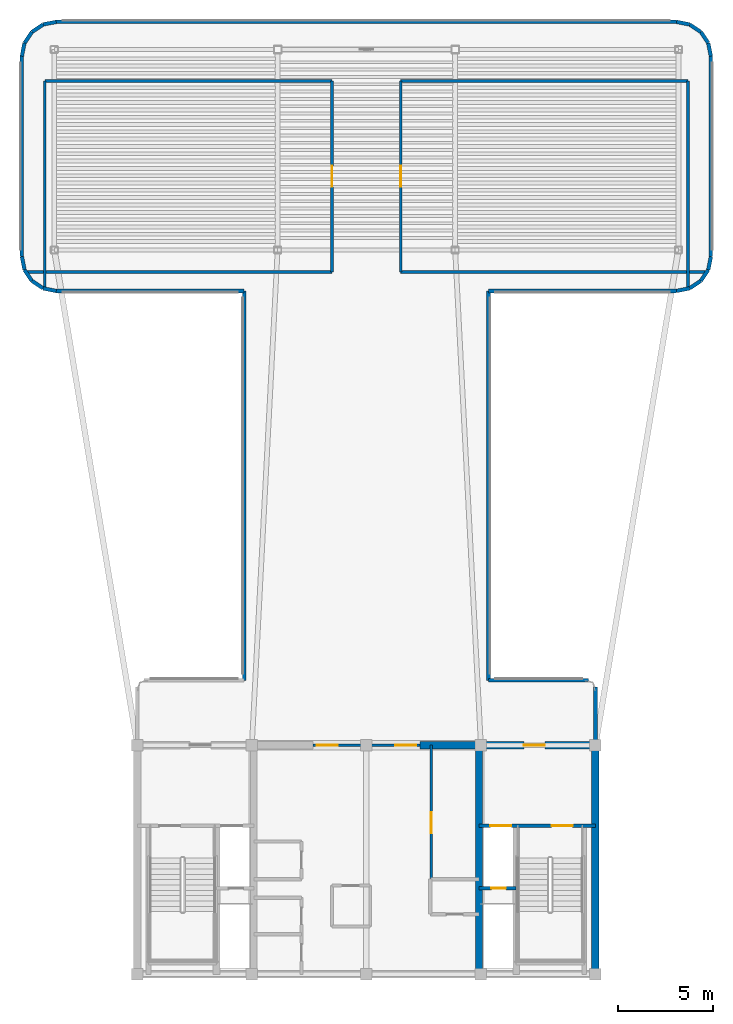
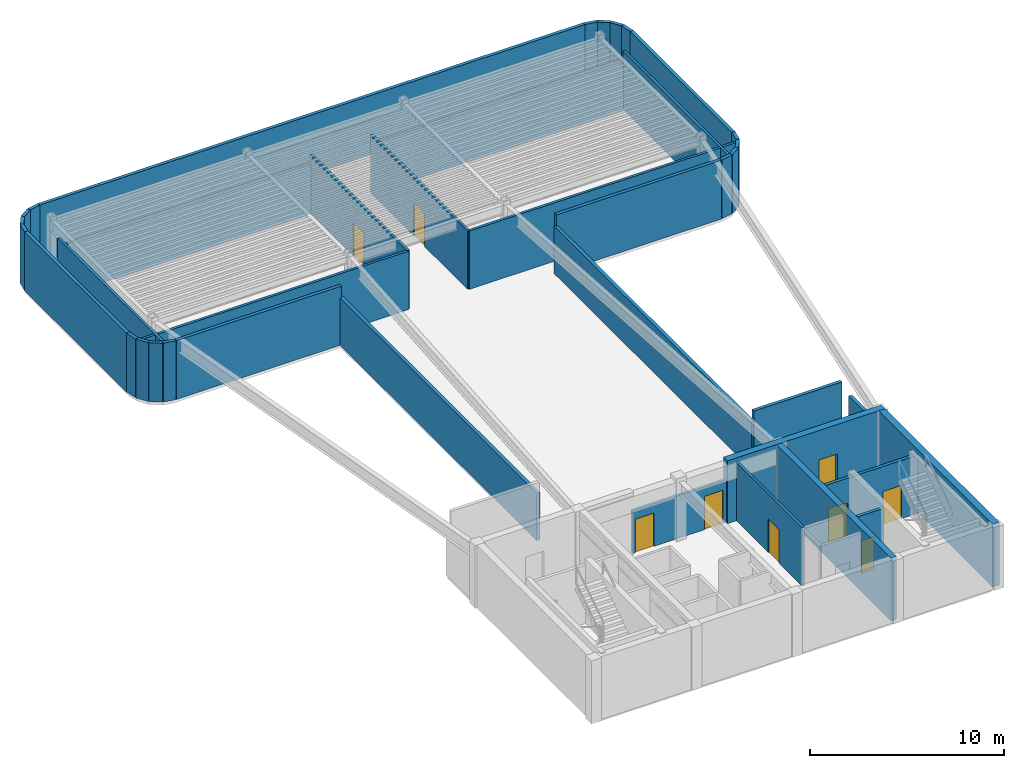
# One storey, part 3 of 6: 40 walls, 9 doors, 9 openings.
"""IFC4 building model written with IfcOpenShell, lengths in metres."""

from ifc_helpers import new_model, si_unit, direction, frame, frame_2d, origin, origin_2d, place, context, subcontext, project, spatial, rectangle, extrude, source, transform, mapped, material, layer, layer_set, type_object, element, fill, save


model = new_model("IFC4")

# Units and contexts
model_context = context("Model", 3, precision=1e-05, world=origin(), true_north=direction((0.0, 1.0)))
body_context = subcontext(model_context, "Body", "Model", "MODEL_VIEW")
ifc_project = project(units=[si_unit("LENGTHUNIT", "METRE"), si_unit("AREAUNIT", "SQUARE_METRE"), si_unit("VOLUMEUNIT", "CUBIC_METRE"), si_unit("PLANEANGLEUNIT", "RADIAN"), si_unit("MASSUNIT", "GRAM", prefix="KILO")], contexts=[model_context])

# Site, building, storey
site_placement = place(None, origin())
site = spatial("IfcSite", under=ifc_project, at=site_placement, CompositionType="ELEMENT")
building_placement = place(site_placement, origin())
building = spatial("IfcBuilding", under=site, at=building_placement, Name="Brelvock Crest Care Tower", CompositionType="ELEMENT")
storey_placement = place(building_placement, frame((0.0, 0.0, 303.840087890625)))
storey = spatial("IfcBuildingStorey", under=building, at=storey_placement, Name="L77", CompositionType="ELEMENT", Elevation=303.840087890625)

# Wall
ifc_material_1 = material(Name="Concrete S65 (65 MPa)", Category="concrete")
ifc_layer_1 = layer(ifc_material_1, 0.39990234375, Name="WL-CS4")
ifc_layer_set_1 = layer_set([ifc_layer_1], Name="Concrete S65 (65 MPa)")
wall_type_1 = type_object("IfcWallType", Name="WL-CS4", PredefinedType="SHEAR", material=ifc_layer_set_1)
wall_1_placement = place(storey_placement, frame((48.0, 18.0, 0.0), z_axis=(0.0, 0.0, 1.0), x_axis=(0.0, -1.0, 0.0)))
element("IfcWall", 1, at=wall_1_placement, inside=storey, type_object=wall_type_1, Name="L77 Core East Shear Wall", PredefinedType="SHEAR", context=body_context, shape_type="SweptSolid", body=[
    extrude(rectangle(XDim=12.0, YDim=0.39990234375, at=frame_2d((6.0, 0.0))), origin(), (0.0, 0.0, 1.0), 3.9599609375),
])

# Wall, opening, door
wall_2_placement = place(storey_placement, frame((38.800048828125, 18.0, 0.0), z_axis=(0.0, 0.0, 1.0), x_axis=(1.0, 0.0, 0.0)))
wall_2 = element("IfcWall", 2, at=wall_2_placement, inside=storey, type_object=wall_type_1, Name="L77 Core North-East Shear Wall", PredefinedType="SHEAR", context=body_context, shape_type="SweptSolid", body=[
    extrude(rectangle(XDim=9.39990234375, YDim=0.39990234375, at=frame_2d((4.699951171875, 0.0))), origin(), (0.0, 0.0, 1.0), 3.9599609375),
])
opening_1_placement = place(wall_2_placement, frame((5.449951171875, 0.0, 0.0)))
opening_1 = element("IfcOpeningElement", 3, at=opening_1_placement, cuts=wall_2, Name="Opening FD-1", PredefinedType="OPENING", context=body_context, shape_type="SweptSolid", body=[
    extrude(rectangle(XDim=1.10009765625, YDim=2.10009765625, at=origin_2d()), frame((0.550048828125, 0.2099609375, 1.050048828125), z_axis=(0.0, -1.0, 0.0), x_axis=(1.0, 0.0, 0.0)), (0.0, 0.0, 1.0), 0.419921875),
])
ifc_material_2 = material(Name="Steel Grade 350", Category="steel")
door_type_1 = type_object("IfcDoorType", Name="DR-FFL1", OperationType="NOTDEFINED", PredefinedType="DOOR", material=ifc_material_2)
shared_shape_1 = source(origin(), body_context, "Body", "SweptSolid", [
    extrude(rectangle(XDim=1.10009765625, YDim=2.10009765625, at=origin_2d()), frame((0.550048828125, 0.02490234375, 1.050048828125), z_axis=(0.0, -1.0, 0.0), x_axis=(1.0, 0.0, 0.0)), (0.0, 0.0, 1.0), 0.050048828125),
])
door_1_placement = place(opening_1_placement, origin())
door_1 = element("IfcDoor", 4, at=door_1_placement, inside=storey, type_object=door_type_1, Name="L77 Firefighting Lobby FFL-2 Exit Door", OperationType="SINGLE_SWING_RIGHT", OverallHeight=2.10009765625, OverallWidth=1.10009765625, PredefinedType="DOOR", context=body_context, shape_type="MappedRepresentation", body=[
    mapped(shared_shape_1, transform((0.0, 0.0, 0.0), x_axis=(1.0, 0.0, 0.0), y_axis=(0.0, 1.0, 0.0), z_axis=(0.0, 0.0, 1.0), scale=1.0)),
])
fill(opening_1, door_1)

# Walls
ifc_material_3 = material(Name="Concrete S80 (80 MPa)", Category="concrete")
ifc_layer_2 = layer(ifc_material_3, 0.35009765625, Name="WL-CS5")
ifc_layer_set_2 = layer_set([ifc_layer_2], Name="Concrete S80 (80 MPa)")
wall_type_2 = type_object("IfcWallType", Name="WL-CS5", PredefinedType="SHEAR", material=ifc_layer_set_2)
wall_3_placement = place(storey_placement, frame((41.89990234375, 18.0, 0.0), z_axis=(0.0, 0.0, 1.0), x_axis=(0.0, -1.0, 0.0)))
element("IfcWall", 5, at=wall_3_placement, inside=storey, type_object=wall_type_2, Name="L77 Core Internal Web Wall East", PredefinedType="SHEAR", context=body_context, shape_type="SweptSolid", body=[
    extrude(rectangle(XDim=12.0, YDim=0.35009765625, at=frame_2d((6.0, 0.0))), origin(), (0.0, 0.0, 1.0), 3.9599609375),
])
ifc_material_4 = material(Name="Precast concrete N40 (40 MPa)", Category="concrete")
ifc_layer_3 = layer(ifc_material_4, 0.195068359375, Name="WL-EX3")
ifc_layer_set_3 = layer_set([ifc_layer_3], Name="Precast concrete N40 (40 MPa)")
wall_type_3 = type_object("IfcWallType", Name="WL-EX3", PredefinedType="SOLIDWALL", material=ifc_layer_set_3)
wall_4_placement = place(storey_placement, frame((48.0, 21.050048828125, 0.0), z_axis=(0.0, 0.0, 1.0), x_axis=(0.0, -1.0, 0.0)))
element("IfcWall", 6, at=wall_4_placement, inside=storey, type_object=wall_type_3, Name="L77 Crown and Plant Cladding Wall 02", PredefinedType="SOLIDWALL", context=body_context, shape_type="SweptSolid", body=[
    extrude(rectangle(XDim=2.77001953125, YDim=0.195068359375, at=frame_2d((1.385009765625, 0.0))), origin(), (0.0, 0.0, 1.0), 2.89794921875),
])
wall_5_placement = place(storey_placement, frame((29.60009765625, 21.39990234375, 0.0), z_axis=(0.0, 0.0, 1.0), x_axis=(0.0, 1.0, 0.0)))
element("IfcWall", 7, at=wall_5_placement, inside=storey, type_object=wall_type_3, Name="L77 Crown and Plant Cladding Wall 12", PredefinedType="SOLIDWALL", context=body_context, shape_type="SweptSolid", body=[
    extrude(rectangle(XDim=20.400146484375, YDim=0.195068359375, at=frame_2d((10.2001953125, 0.0))), origin(), (0.0, 0.0, 1.0), 2.997802734375),
])
wall_6_placement = place(storey_placement, frame((29.60009765625, 41.800048828125, 0.0), z_axis=(0.0, 0.0, 1.0), x_axis=(-1.0, 0.0, 0.0)))
element("IfcWall", 8, at=wall_6_placement, inside=storey, type_object=wall_type_3, Name="L77 Crown and Plant Cladding Wall 13", PredefinedType="SOLIDWALL", context=body_context, shape_type="SweptSolid", body=[
    extrude(rectangle(XDim=9.85009765625, YDim=0.195068359375, at=frame_2d((4.925048828125, 0.0))), origin(), (0.0, 0.0, 1.0), 3.7099609375),
])
wall_7_placement = place(storey_placement, frame((19.75, 41.800048828125, 0.0), z_axis=(0.0, 0.0, 1.0), x_axis=(-0.980794046625, 0.195046246068, 0.0)))
element("IfcWall", 9, at=wall_7_placement, inside=storey, type_object=wall_type_3, Name="L77 Crown and Plant Cladding Wall 14", PredefinedType="SOLIDWALL", context=body_context, shape_type="SweptSolid", body=[
    extrude(rectangle(XDim=0.7021484375, YDim=0.195068359375, at=frame_2d((0.35107421875, 0.0))), origin(), (0.0, 0.0, 1.0), 3.7099609375),
])
for number, where, z_axis, x_axis, name in (
    (10, (19.061279296875, 41.93701171875, 0.0), (0.0, 0.0, 1.0), (-0.831515102434, 0.555502146192, 0.0), "L77 Crown and Plant Cladding Wall 15"),
    (11, (18.477294921875, 42.3271484375, 0.0), (0.0, 0.0, 1.0), (-0.555742429414, 0.831354528555, 0.0), "L77 Crown and Plant Cladding Wall 16"),
    (12, (18.0869140625, 42.9111328125, 0.0), (0.0, 0.0, 1.0), (-0.194979757801, 0.980807266515, 0.0), "L77 Crown and Plant Cladding Wall 17"),
):
    element("IfcWall", number, at=place(storey_placement, frame(where, z_axis=z_axis, x_axis=x_axis)), inside=storey, type_object=wall_type_3, Name=name, PredefinedType="SOLIDWALL", context=body_context, shape_type="SweptSolid", body=[
        extrude(rectangle(XDim=0.702392578125, YDim=0.195068359375, at=frame_2d((0.35107421875, 0.0))), origin(), (0.0, 0.0, 1.0), 3.7099609375),
    ])
wall_8_placement = place(storey_placement, frame((17.949951171875, 43.60009765625, 0.0), z_axis=(0.0, 0.0, 1.0), x_axis=(0.0, 1.0, 0.0)))
element("IfcWall", 13, at=wall_8_placement, inside=storey, type_object=wall_type_3, Name="L77 Crown and Plant Cladding Wall 18", PredefinedType="SOLIDWALL", context=body_context, shape_type="SweptSolid", body=[
    extrude(rectangle(XDim=10.5, YDim=0.195068359375, at=frame_2d((5.25, 0.0))), origin(), (0.0, 0.0, 1.0), 3.7099609375),
])
wall_9_placement = place(storey_placement, frame((17.949951171875, 54.10009765625, 0.0), z_axis=(0.0, 0.0, 1.0), x_axis=(0.195046246068, 0.980794046625, 0.0)))
element("IfcWall", 14, at=wall_9_placement, inside=storey, type_object=wall_type_3, Name="L77 Crown and Plant Cladding Wall 19", PredefinedType="SOLIDWALL", context=body_context, shape_type="SweptSolid", body=[
    extrude(rectangle(XDim=0.7021484375, YDim=0.195068359375, at=frame_2d((0.35107421875, 0.0))), origin(), (0.0, 0.0, 1.0), 3.7099609375),
])
for number, where, z_axis, x_axis, name in (
    (15, (18.0869140625, 54.788818359375, 0.0), (0.0, 0.0, 1.0), (0.555742429414, 0.831354528555, 0.0), "L77 Crown and Plant Cladding Wall 20"),
    (16, (18.477294921875, 55.372802734375, 0.0), (0.0, 0.0, 1.0), (0.831515102434, 0.555502146192, 0.0), "L77 Crown and Plant Cladding Wall 21"),
):
    element("IfcWall", number, at=place(storey_placement, frame(where, z_axis=z_axis, x_axis=x_axis)), inside=storey, type_object=wall_type_3, Name=name, PredefinedType="SOLIDWALL", context=body_context, shape_type="SweptSolid", body=[
        extrude(rectangle(XDim=0.702392578125, YDim=0.195068359375, at=frame_2d((0.35107421875, 0.0))), origin(), (0.0, 0.0, 1.0), 3.7099609375),
    ])
wall_10_placement = place(storey_placement, frame((19.061279296875, 55.762939453125, 0.0), z_axis=(0.0, 0.0, 1.0), x_axis=(0.980794046625, 0.195046246068, 0.0)))
element("IfcWall", 17, at=wall_10_placement, inside=storey, type_object=wall_type_3, Name="L77 Crown and Plant Cladding Wall 22", PredefinedType="SOLIDWALL", context=body_context, shape_type="SweptSolid", body=[
    extrude(rectangle(XDim=0.7021484375, YDim=0.195068359375, at=frame_2d((0.35107421875, 0.0))), origin(), (0.0, 0.0, 1.0), 3.7099609375),
])
wall_11_placement = place(storey_placement, frame((19.75, 55.89990234375, 0.0), z_axis=(0.0, 0.0, 1.0), x_axis=(1.0, 0.0, 0.0)))
element("IfcWall", 18, at=wall_11_placement, inside=storey, type_object=wall_type_3, Name="L77 Crown and Plant Cladding Wall 23", PredefinedType="SOLIDWALL", context=body_context, shape_type="SweptSolid", body=[
    extrude(rectangle(XDim=32.5, YDim=0.195068359375, at=frame_2d((16.25, 0.0))), origin(), (0.0, 0.0, 1.0), 3.7099609375),
])
wall_12_placement = place(storey_placement, frame((52.25, 55.89990234375, 0.0), z_axis=(0.0, 0.0, 1.0), x_axis=(0.980794046625, -0.195046246068, 0.0)))
element("IfcWall", 19, at=wall_12_placement, inside=storey, type_object=wall_type_3, Name="L77 Crown and Plant Cladding Wall 24", PredefinedType="SOLIDWALL", context=body_context, shape_type="SweptSolid", body=[
    extrude(rectangle(XDim=0.7021484375, YDim=0.195068359375, at=frame_2d((0.35107421875, 0.0))), origin(), (0.0, 0.0, 1.0), 3.7099609375),
])
for number, where, z_axis, x_axis, name in (
    (20, (52.938720703125, 55.762939453125, 0.0), (0.0, 0.0, 1.0), (0.831515102434, -0.555502146192, 0.0), "L77 Crown and Plant Cladding Wall 25"),
    (21, (53.522705078125, 55.372802734375, 0.0), (0.0, 0.0, 1.0), (0.555742429414, -0.831354528555, 0.0), "L77 Crown and Plant Cladding Wall 26"),
):
    element("IfcWall", number, at=place(storey_placement, frame(where, z_axis=z_axis, x_axis=x_axis)), inside=storey, type_object=wall_type_3, Name=name, PredefinedType="SOLIDWALL", context=body_context, shape_type="SweptSolid", body=[
        extrude(rectangle(XDim=0.702392578125, YDim=0.195068359375, at=frame_2d((0.35107421875, 0.0))), origin(), (0.0, 0.0, 1.0), 3.7099609375),
    ])
wall_13_placement = place(storey_placement, frame((53.9130859375, 54.788818359375, 0.0), z_axis=(0.0, 0.0, 1.0), x_axis=(0.195046246068, -0.980794046625, 0.0)))
element("IfcWall", 22, at=wall_13_placement, inside=storey, type_object=wall_type_3, Name="L77 Crown and Plant Cladding Wall 27", PredefinedType="SOLIDWALL", context=body_context, shape_type="SweptSolid", body=[
    extrude(rectangle(XDim=0.7021484375, YDim=0.195068359375, at=frame_2d((0.35107421875, 0.0))), origin(), (0.0, 0.0, 1.0), 3.7099609375),
])
wall_14_placement = place(storey_placement, frame((54.050048828125, 54.10009765625, 0.0), z_axis=(0.0, 0.0, 1.0), x_axis=(0.0, -1.0, 0.0)))
element("IfcWall", 23, at=wall_14_placement, inside=storey, type_object=wall_type_3, Name="L77 Crown and Plant Cladding Wall 28", PredefinedType="SOLIDWALL", context=body_context, shape_type="SweptSolid", body=[
    extrude(rectangle(XDim=10.5, YDim=0.195068359375, at=frame_2d((5.25, 0.0))), origin(), (0.0, 0.0, 1.0), 3.7099609375),
])
for number, where, z_axis, x_axis, name in (
    (24, (54.050048828125, 43.60009765625, 0.0), (0.0, 0.0, 1.0), (-0.194979757801, -0.980807266515, 0.0), "L77 Crown and Plant Cladding Wall 29"),
    (25, (53.9130859375, 42.9111328125, 0.0), (0.0, 0.0, 1.0), (-0.555742429414, -0.831354528555, 0.0), "L77 Crown and Plant Cladding Wall 30"),
    (26, (53.522705078125, 42.3271484375, 0.0), (0.0, 0.0, 1.0), (-0.831515102434, -0.555502146192, 0.0), "L77 Crown and Plant Cladding Wall 31"),
):
    element("IfcWall", number, at=place(storey_placement, frame(where, z_axis=z_axis, x_axis=x_axis)), inside=storey, type_object=wall_type_3, Name=name, PredefinedType="SOLIDWALL", context=body_context, shape_type="SweptSolid", body=[
        extrude(rectangle(XDim=0.702392578125, YDim=0.195068359375, at=frame_2d((0.35107421875, 0.0))), origin(), (0.0, 0.0, 1.0), 3.7099609375),
    ])
wall_15_placement = place(storey_placement, frame((52.938720703125, 41.93701171875, 0.0), z_axis=(0.0, 0.0, 1.0), x_axis=(-0.980794046625, -0.195046246068, 0.0)))
element("IfcWall", 27, at=wall_15_placement, inside=storey, type_object=wall_type_3, Name="L77 Crown and Plant Cladding Wall 32", PredefinedType="SOLIDWALL", context=body_context, shape_type="SweptSolid", body=[
    extrude(rectangle(XDim=0.7021484375, YDim=0.195068359375, at=frame_2d((0.35107421875, 0.0))), origin(), (0.0, 0.0, 1.0), 3.7099609375),
])
wall_16_placement = place(storey_placement, frame((52.25, 41.800048828125, 0.0), z_axis=(0.0, 0.0, 1.0), x_axis=(-1.0, 0.0, 0.0)))
element("IfcWall", 28, at=wall_16_placement, inside=storey, type_object=wall_type_3, Name="L77 Crown and Plant Cladding Wall 33", PredefinedType="SOLIDWALL", context=body_context, shape_type="SweptSolid", body=[
    extrude(rectangle(XDim=9.85009765625, YDim=0.195068359375, at=frame_2d((4.925048828125, 0.0))), origin(), (0.0, 0.0, 1.0), 3.7099609375),
])
wall_17_placement = place(storey_placement, frame((42.39990234375, 41.800048828125, 0.0), z_axis=(0.0, 0.0, 1.0), x_axis=(0.0, -1.0, 0.0)))
element("IfcWall", 29, at=wall_17_placement, inside=storey, type_object=wall_type_3, Name="L77 Crown and Plant Cladding Wall 34", PredefinedType="SOLIDWALL", context=body_context, shape_type="SweptSolid", body=[
    extrude(rectangle(XDim=20.400146484375, YDim=0.195068359375, at=frame_2d((10.2001953125, 0.0))), origin(), (0.0, 0.0, 1.0), 2.997802734375),
])
wall_18_placement = place(storey_placement, frame((42.39990234375, 21.39990234375, 0.0), z_axis=(0.0, 0.0, 1.0), x_axis=(1.0, 0.0, 0.0)))
element("IfcWall", 30, at=wall_18_placement, inside=storey, type_object=wall_type_3, Name="L77 Crown and Plant Cladding Wall 35", PredefinedType="SOLIDWALL", context=body_context, shape_type="SweptSolid", body=[
    extrude(rectangle(XDim=5.25, YDim=0.195068359375, at=frame_2d((2.625, 0.0))), origin(), (0.0, 0.0, 1.0), 3.7099609375),
])

# Wall, opening, door
ifc_material_5 = material(Name="Masonry Blockwork Acoustic Partition", Category="masonry")
ifc_layer_4 = layer(ifc_material_5, 0.14990234375, Name="WL-INT1")
ifc_layer_set_4 = layer_set([ifc_layer_4], Name="Masonry Blockwork Acoustic Partition")
wall_type_4 = type_object("IfcWallType", Name="WL-INT1", PredefinedType="PARTITIONING", material=ifc_layer_set_4)
wall_19_placement = place(storey_placement, frame((39.39990234375, 11.0, 0.0), z_axis=(0.0, 0.0, 1.0), x_axis=(0.0, 1.0, 0.0)))
wall_19 = element("IfcWall", 31, at=wall_19_placement, inside=storey, type_object=wall_type_4, Name="L77 Interior Wall WL-CRCH-W-L77", PredefinedType="PARTITIONING", context=body_context, shape_type="SweptSolid", body=[
    extrude(rectangle(XDim=7.0, YDim=0.14990234375, at=frame_2d((3.5, 0.0))), origin(), (0.0, 0.0, 1.0), 3.679931640625),
])
opening_2_placement = place(wall_19_placement, frame((2.39990234375, 0.0, 0.0)))
opening_2 = element("IfcOpeningElement", 32, at=opening_2_placement, cuts=wall_19, Name="Opening PD-1", PredefinedType="OPENING", context=body_context, shape_type="SweptSolid", body=[
    extrude(rectangle(XDim=1.10009765625, YDim=2.10009765625, at=origin_2d()), frame((0.550048828125, 0.0849609375, 1.050048828125), z_axis=(0.0, -1.0, 0.0), x_axis=(1.0, 0.0, 0.0)), (0.0, 0.0, 1.0), 0.169921875),
])
door_type_2 = type_object("IfcDoorType", Name="DR-PLT1", OperationType="NOTDEFINED", PredefinedType="DOOR", material=ifc_material_2)
shared_shape_2 = source(origin(), body_context, "Body", "SweptSolid", [
    extrude(rectangle(XDim=1.10009765625, YDim=2.10009765625, at=origin_2d()), frame((0.550048828125, 0.02490234375, 1.050048828125), z_axis=(0.0, -1.0, 0.0), x_axis=(1.0, 0.0, 0.0)), (0.0, 0.0, 1.0), 0.050048828125),
])
door_2_placement = place(opening_2_placement, origin())
door_2 = element("IfcDoor", 33, at=door_2_placement, inside=storey, type_object=door_type_2, Name="DR-CRCH-L77", OperationType="SINGLE_SWING_RIGHT", OverallHeight=2.10009765625, OverallWidth=1.10009765625, PredefinedType="DOOR", context=body_context, shape_type="MappedRepresentation", body=[
    mapped(shared_shape_2, transform((0.0, 0.0, 0.0), x_axis=(1.0, 0.0, 0.0), y_axis=(0.0, 1.0, 0.0), z_axis=(0.0, 0.0, 1.0), scale=1.0)),
])
fill(opening_2, door_2)

# Wall, openings, doors
wall_20_placement = place(storey_placement, frame((33.199951171875, 18.0, 0.0), z_axis=(0.0, 0.0, 1.0), x_axis=(1.0, 0.0, 0.0)))
wall_20 = element("IfcWall", 34, at=wall_20_placement, inside=storey, type_object=wall_type_4, Name="L77 Interior Wall WL-CORE-NPORT-L77", PredefinedType="PARTITIONING", context=body_context, shape_type="SweptSolid", body=[
    extrude(rectangle(XDim=5.60009765625, YDim=0.14990234375, at=frame_2d((2.800048828125, 0.0))), origin(), (0.0, 0.0, 1.0), 2.69482421875),
])
opening_3_placement = place(wall_20_placement, frame((0.18994140625, 0.0, 0.0)))
opening_3 = element("IfcOpeningElement", 35, at=opening_3_placement, cuts=wall_20, Name="Opening FD-1", PredefinedType="OPENING", context=body_context, shape_type="SweptSolid", body=[
    extrude(rectangle(XDim=1.10009765625, YDim=2.10009765625, at=origin_2d()), frame((0.550048828125, 0.0849609375, 1.050048828125), z_axis=(0.0, -1.0, 0.0), x_axis=(1.0, 0.0, 0.0)), (0.0, 0.0, 1.0), 0.169921875),
])
opening_4_placement = place(wall_20_placement, frame((4.31005859375, 0.0, 0.0)))
opening_4 = element("IfcOpeningElement", 36, at=opening_4_placement, cuts=wall_20, Name="Opening FD-1", PredefinedType="OPENING", context=body_context, shape_type="SweptSolid", body=[
    extrude(rectangle(XDim=1.10009765625, YDim=2.10009765625, at=origin_2d()), frame((0.550048828125, 0.0849609375, 1.050048828125), z_axis=(0.0, -1.0, 0.0), x_axis=(1.0, 0.0, 0.0)), (0.0, 0.0, 1.0), 0.169921875),
])
door_3_placement = place(opening_3_placement, origin())
door_3 = element("IfcDoor", 37, at=door_3_placement, inside=storey, type_object=door_type_1, Name="L77 Lift Lobby North Smoke Door West", OperationType="SINGLE_SWING_LEFT", OverallHeight=2.10009765625, OverallWidth=1.10009765625, PredefinedType="DOOR", context=body_context, shape_type="MappedRepresentation", body=[
    mapped(shared_shape_1, transform((0.0, 0.0, 0.0), x_axis=(1.0, 0.0, 0.0), y_axis=(0.0, 1.0, 0.0), z_axis=(0.0, 0.0, 1.0), scale=1.0)),
])
fill(opening_3, door_3)
door_4_placement = place(opening_4_placement, origin())
door_4 = element("IfcDoor", 38, at=door_4_placement, inside=storey, type_object=door_type_1, Name="L77 Lift Lobby North Smoke Door East", OperationType="SINGLE_SWING_RIGHT", OverallHeight=2.10009765625, OverallWidth=1.10009765625, PredefinedType="DOOR", context=body_context, shape_type="MappedRepresentation", body=[
    mapped(shared_shape_1, transform((0.0, 0.0, 0.0), x_axis=(1.0, 0.0, 0.0), y_axis=(0.0, 1.0, 0.0), z_axis=(0.0, 0.0, 1.0), scale=1.0)),
])
fill(opening_4, door_4)

# Walls
for number, where, z_axis, x_axis, name in (
    (39, (18.257568359375, 42.800048828125, 0.0), (0.0, 0.0, 1.0), (1.0, 0.0, 0.0), "L77 Interior Wall WL-BX-L77-CRMW-S"),
    (40, (37.800048828125, 42.800048828125, 0.0), (0.0, 0.0, 1.0), (1.0, 0.0, 0.0), "L77 Interior Wall WL-BX-L77-CRME-S"),
):
    element("IfcWall", number, at=place(storey_placement, frame(where, z_axis=z_axis, x_axis=x_axis)), inside=storey, type_object=wall_type_4, Name=name, PredefinedType="PARTITIONING", context=body_context, shape_type="SweptSolid", body=[
        extrude(rectangle(XDim=15.9423828125, YDim=0.14990234375, at=frame_2d((7.97119140625, 0.0))), origin(), (0.0, 0.0, 1.0), 3.679931640625),
    ])
for number, where, z_axis, x_axis, name in (
    (41, (19.14990234375, 52.800048828125, 0.0), (0.0, 0.0, 1.0), (1.0, 0.0, 0.0), "L77 Interior Wall WL-BX-L77-CRMW-N"),
    (42, (37.800048828125, 52.800048828125, 0.0), (0.0, 0.0, 1.0), (1.0, 0.0, 0.0), "L77 Interior Wall WL-BX-L77-CRME-N"),
):
    element("IfcWall", number, at=place(storey_placement, frame(where, z_axis=z_axis, x_axis=x_axis)), inside=storey, type_object=wall_type_4, Name=name, PredefinedType="PARTITIONING", context=body_context, shape_type="SweptSolid", body=[
        extrude(rectangle(XDim=15.050048828125, YDim=0.14990234375, at=frame_2d((7.52490234375, 0.0))), origin(), (0.0, 0.0, 1.0), 3.161865234375),
    ])
wall_21_placement = place(storey_placement, frame((19.14990234375, 42.0009765625, 0.0), z_axis=(0.0, 0.0, 1.0), x_axis=(0.0, 1.0, 0.0)))
element("IfcWall", 43, at=wall_21_placement, inside=storey, type_object=wall_type_4, Name="L77 Interior Wall WL-BX-L77-CRMW-W", PredefinedType="PARTITIONING", context=body_context, shape_type="SweptSolid", body=[
    extrude(rectangle(XDim=10.799072265625, YDim=0.14990234375, at=frame_2d((5.3994140625, 0.0))), origin(), (0.0, 0.0, 1.0), 3.679931640625),
])

# Wall, opening, door
wall_22_placement = place(storey_placement, frame((34.199951171875, 42.800048828125, 0.0), z_axis=(0.0, 0.0, 1.0), x_axis=(0.0, 1.0, 0.0)))
wall_22 = element("IfcWall", 44, at=wall_22_placement, inside=storey, type_object=wall_type_4, Name="L77 Interior Wall WL-RM-L77-CRMW", PredefinedType="PARTITIONING", context=body_context, shape_type="SweptSolid", body=[
    extrude(rectangle(XDim=10.0, YDim=0.14990234375, at=frame_2d((5.0, 0.0))), origin(), (0.0, 0.0, 1.0), 3.679931640625),
])
opening_5_placement = place(wall_22_placement, frame((4.449951171875, 0.0, 0.0)))
opening_5 = element("IfcOpeningElement", 45, at=opening_5_placement, cuts=wall_22, Name="Opening PD-1", PredefinedType="OPENING", context=body_context, shape_type="SweptSolid", body=[
    extrude(rectangle(XDim=1.10009765625, YDim=2.10009765625, at=origin_2d()), frame((0.550048828125, 0.0849609375, 1.050048828125), z_axis=(0.0, -1.0, 0.0), x_axis=(1.0, 0.0, 0.0)), (0.0, 0.0, 1.0), 0.169921875),
])
door_5_placement = place(opening_5_placement, origin())
door_5 = element("IfcDoor", 46, at=door_5_placement, inside=storey, type_object=door_type_2, Name="L77 Tuned Mass Damper Mechanical Plant Door CRMW", OperationType="SINGLE_SWING_LEFT", OverallHeight=2.10009765625, OverallWidth=1.10009765625, PredefinedType="DOOR", context=body_context, shape_type="MappedRepresentation", body=[
    mapped(shared_shape_2, transform((0.0, 0.0, 0.0), x_axis=(1.0, 0.0, 0.0), y_axis=(0.0, 1.0, 0.0), z_axis=(0.0, 0.0, 1.0), scale=1.0)),
])
fill(opening_5, door_5)

wall_23_placement = place(storey_placement, frame((37.800048828125, 42.800048828125, 0.0), z_axis=(0.0, 0.0, 1.0), x_axis=(0.0, 1.0, 0.0)))
wall_23 = element("IfcWall", 47, at=wall_23_placement, inside=storey, type_object=wall_type_4, Name="L77 Interior Wall WL-RM-L77-CRME", PredefinedType="PARTITIONING", context=body_context, shape_type="SweptSolid", body=[
    extrude(rectangle(XDim=10.0, YDim=0.14990234375, at=frame_2d((5.0, 0.0))), origin(), (0.0, 0.0, 1.0), 3.679931640625),
])
opening_6_placement = place(wall_23_placement, frame((4.449951171875, 0.0, 0.0)))
opening_6 = element("IfcOpeningElement", 48, at=opening_6_placement, cuts=wall_23, Name="Opening PD-1", PredefinedType="OPENING", context=body_context, shape_type="SweptSolid", body=[
    extrude(rectangle(XDim=1.10009765625, YDim=2.10009765625, at=origin_2d()), frame((0.550048828125, 0.0849609375, 1.050048828125), z_axis=(0.0, -1.0, 0.0), x_axis=(1.0, 0.0, 0.0)), (0.0, 0.0, 1.0), 0.169921875),
])
door_6_placement = place(opening_6_placement, origin())
door_6 = element("IfcDoor", 49, at=door_6_placement, inside=storey, type_object=door_type_2, Name="L77 Emergency Generator Mechanical Plant Door CRME", OperationType="SINGLE_SWING_LEFT", OverallHeight=2.10009765625, OverallWidth=1.10009765625, PredefinedType="DOOR", context=body_context, shape_type="MappedRepresentation", body=[
    mapped(shared_shape_2, transform((0.0, 0.0, 0.0), x_axis=(1.0, 0.0, 0.0), y_axis=(0.0, 1.0, 0.0), z_axis=(0.0, 0.0, 1.0), scale=1.0)),
])
fill(opening_6, door_6)

# Wall
wall_24_placement = place(storey_placement, frame((52.85009765625, 42.0009765625, 0.0), z_axis=(0.0, 0.0, 1.0), x_axis=(0.0, 1.0, 0.0)))
element("IfcWall", 50, at=wall_24_placement, inside=storey, type_object=wall_type_4, Name="L77 Interior Wall WL-BX-L77-CRME-E", PredefinedType="PARTITIONING", context=body_context, shape_type="SweptSolid", body=[
    extrude(rectangle(XDim=10.799072265625, YDim=0.14990234375, at=frame_2d((5.3994140625, 0.0))), origin(), (0.0, 0.0, 1.0), 3.679931640625),
])

# Wall, openings, doors
ifc_layer_5 = layer(ifc_material_5, 0.179931640625, Name="WL-SHF1")
ifc_layer_set_5 = layer_set([ifc_layer_5], Name="Masonry Blockwork Acoustic Partition")
wall_type_5 = type_object("IfcWallType", Name="WL-SHF1", PredefinedType="PARTITIONING", material=ifc_layer_set_5)
wall_25_placement = place(storey_placement, frame((41.89990234375, 13.780029296875, 0.0), z_axis=(0.0, 0.0, 1.0), x_axis=(1.0, 0.0, 0.0)))
wall_25 = element("IfcWall", 51, at=wall_25_placement, inside=storey, type_object=wall_type_5, Name="L77 Interior Wall WL-ST2-N-L77", PredefinedType="PARTITIONING", context=body_context, shape_type="SweptSolid", body=[
    extrude(rectangle(XDim=6.10009765625, YDim=0.179931640625, at=frame_2d((3.050048828125, 0.0))), origin(), (0.0, 0.0, 1.0), 3.679931640625),
])
opening_7_placement = place(wall_25_placement, frame((0.60009765625, 0.0, 0.0)))
opening_7 = element("IfcOpeningElement", 52, at=opening_7_placement, cuts=wall_25, Name="Opening LD", PredefinedType="OPENING", context=body_context, shape_type="SweptSolid", body=[
    extrude(rectangle(XDim=1.10009765625, YDim=2.10009765625, at=origin_2d()), frame((0.550048828125, 0.10009765625, 1.050048828125), z_axis=(0.0, -1.0, 0.0), x_axis=(1.0, 0.0, 0.0)), (0.0, 0.0, 1.0), 0.199951171875),
])
opening_8_placement = place(wall_25_placement, frame((3.800048828125, 0.0, 0.0)))
opening_8 = element("IfcOpeningElement", 53, at=opening_8_placement, cuts=wall_25, Name="Opening SD-1", PredefinedType="OPENING", context=body_context, shape_type="SweptSolid", body=[
    extrude(rectangle(XDim=1.10009765625, YDim=2.10009765625, at=origin_2d()), frame((0.550048828125, 0.10009765625, 1.050048828125), z_axis=(0.0, -1.0, 0.0), x_axis=(1.0, 0.0, 0.0)), (0.0, 0.0, 1.0), 0.199951171875),
])
door_type_3 = type_object("IfcDoorType", Name="DR-ST1", OperationType="NOTDEFINED", PredefinedType="DOOR", material=ifc_material_2)
shared_shape_3 = source(origin(), body_context, "Body", "SweptSolid", [
    extrude(rectangle(XDim=1.10009765625, YDim=2.10009765625, at=origin_2d()), frame((0.550048828125, 0.02490234375, 1.050048828125), z_axis=(0.0, -1.0, 0.0), x_axis=(1.0, 0.0, 0.0)), (0.0, 0.0, 1.0), 0.050048828125),
])
door_7_placement = place(opening_8_placement, origin())
door_7 = element("IfcDoor", 54, at=door_7_placement, inside=storey, type_object=door_type_3, Name="L77 Fire Stair ST-2 Door", OperationType="SINGLE_SWING_RIGHT", OverallHeight=2.10009765625, OverallWidth=1.10009765625, PredefinedType="DOOR", context=body_context, shape_type="MappedRepresentation", body=[
    mapped(shared_shape_3, transform((0.0, 0.0, 0.0), x_axis=(1.0, 0.0, 0.0), y_axis=(0.0, 1.0, 0.0), z_axis=(0.0, 0.0, 1.0), scale=1.0)),
])
fill(opening_8, door_7)
door_type_4 = type_object("IfcDoorType", Name="DR-LD1", OperationType="NOTDEFINED", PredefinedType="DOOR", material=ifc_material_2)
shared_shape_4 = source(origin(), body_context, "Body", "SweptSolid", [
    extrude(rectangle(XDim=1.10009765625, YDim=2.10009765625, at=origin_2d()), frame((0.550048828125, 0.02490234375, 1.050048828125), z_axis=(0.0, -1.0, 0.0), x_axis=(1.0, 0.0, 0.0)), (0.0, 0.0, 1.0), 0.050048828125),
])
door_8_placement = place(opening_7_placement, origin())
door_8 = element("IfcDoor", 55, at=door_8_placement, inside=storey, type_object=door_type_4, Name="L77 Firefighting Lift FFL-2 Landing Door", OperationType="SLIDING_TO_RIGHT", OverallHeight=2.10009765625, OverallWidth=1.10009765625, PredefinedType="DOOR", context=body_context, shape_type="MappedRepresentation", body=[
    mapped(shared_shape_4, transform((0.0, 0.0, 0.0), x_axis=(1.0, 0.0, 0.0), y_axis=(0.0, 1.0, 0.0), z_axis=(0.0, 0.0, 1.0), scale=1.0)),
])
fill(opening_7, door_8)

# Wall, opening, door
wall_26_placement = place(storey_placement, frame((41.89990234375, 10.5, 0.0), z_axis=(0.0, 0.0, 1.0), x_axis=(1.0, 0.0, 0.0)))
wall_26 = element("IfcWall", 56, at=wall_26_placement, inside=storey, type_object=wall_type_5, Name="L77 Interior Wall WL-FFH2-S-L77", PredefinedType="PARTITIONING", context=body_context, shape_type="SweptSolid", body=[
    extrude(rectangle(XDim=1.9501953125, YDim=0.179931640625, at=frame_2d((0.97509765625, 0.0))), origin(), (0.0, 0.0, 1.0), 3.679931640625),
])
opening_9_placement = place(wall_26_placement, frame((0.64990234375, 0.0, 0.0)))
opening_9 = element("IfcOpeningElement", 57, at=opening_9_placement, cuts=wall_26, Name="Opening RD-1", PredefinedType="OPENING", context=body_context, shape_type="SweptSolid", body=[
    extrude(rectangle(XDim=0.760009765625, YDim=2.050048828125, at=origin_2d()), frame((0.3798828125, 0.10009765625, 1.02490234375), z_axis=(0.0, -1.0, 0.0), x_axis=(1.0, 0.0, 0.0)), (0.0, 0.0, 1.0), 0.199951171875),
])
door_type_5 = type_object("IfcDoorType", Name="DR-RIS1", OperationType="NOTDEFINED", PredefinedType="DOOR", material=ifc_material_2)
shared_shape_5 = source(origin(), body_context, "Body", "SweptSolid", [
    extrude(rectangle(XDim=0.760009765625, YDim=2.050048828125, at=origin_2d()), frame((0.3798828125, 0.02490234375, 1.02490234375), z_axis=(0.0, -1.0, 0.0), x_axis=(1.0, 0.0, 0.0)), (0.0, 0.0, 1.0), 0.050048828125),
])
door_9_placement = place(opening_9_placement, origin())
door_9 = element("IfcDoor", 58, at=door_9_placement, inside=storey, type_object=door_type_5, Name="L77 East Riser Access Door", OperationType="SINGLE_SWING_RIGHT", OverallHeight=2.050048828125, OverallWidth=0.760009765625, PredefinedType="DOOR", context=body_context, shape_type="MappedRepresentation", body=[
    mapped(shared_shape_5, transform((0.0, 0.0, 0.0), x_axis=(1.0, 0.0, 0.0), y_axis=(0.0, 1.0, 0.0), z_axis=(0.0, 0.0, 1.0), scale=1.0)),
])
fill(opening_9, door_9)

save(model, "model.ifc")
